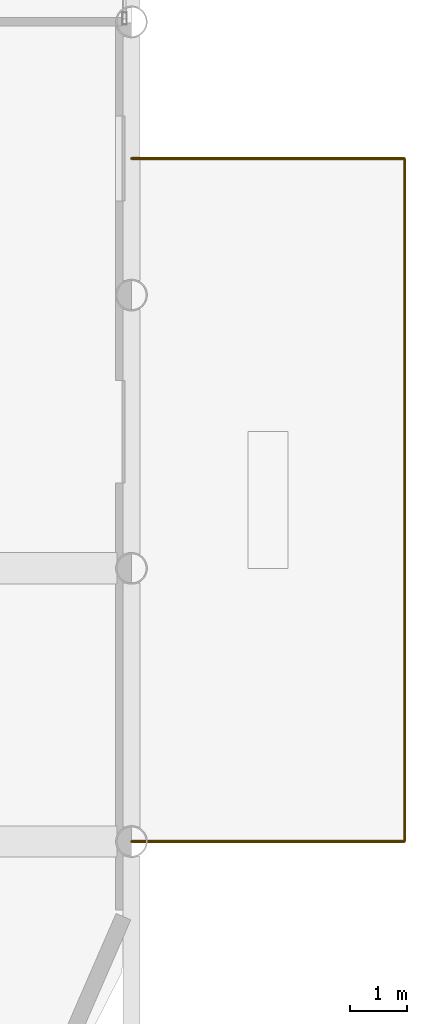
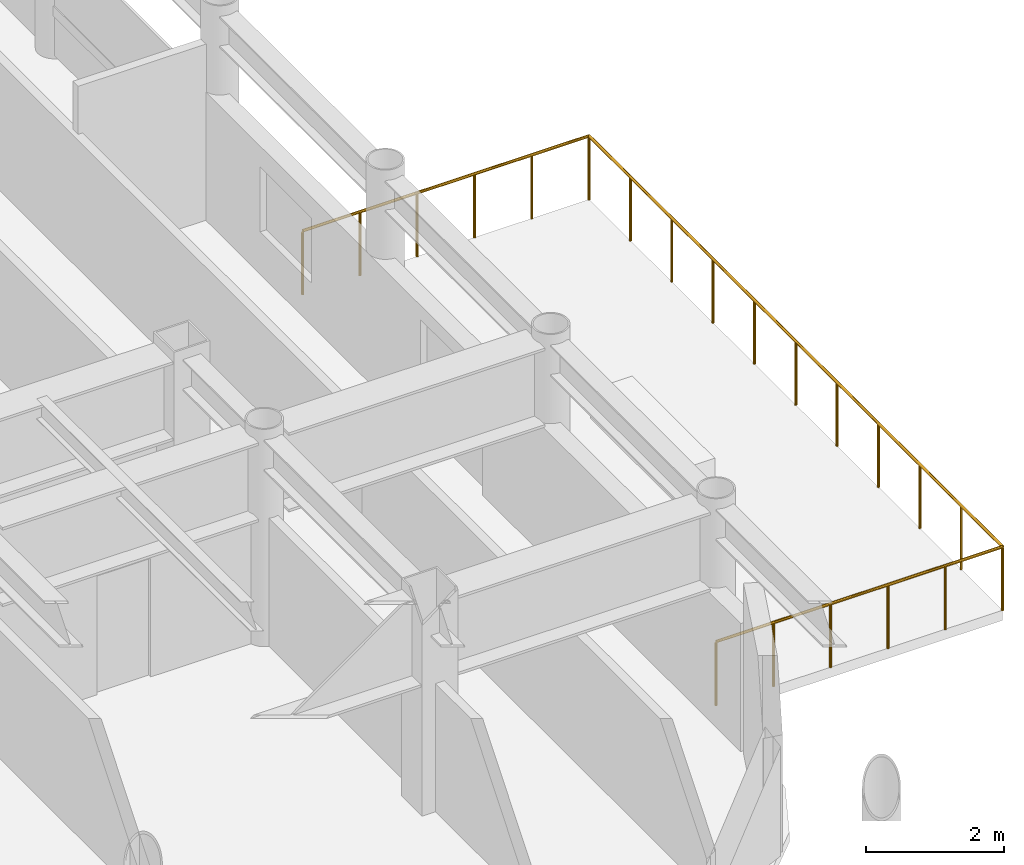
# One storey, part 25 of 25: 3 railings.
"""IFC4 building model written with IfcOpenShell, lengths in metres."""

from ifc_helpers import new_model, si_unit, direction, frame, origin, origin_2d, place, context, subcontext, project, spatial, circle, extrude, material, layer, layer_set, type_object, element, save


model = new_model("IFC4")

# Units and contexts
model_context = context("Model", 3, precision=1e-05, world=origin(), true_north=direction((0.0, 1.0)))
body_context = subcontext(model_context, "Body", "Model", "MODEL_VIEW")
ifc_project = project(units=[si_unit("LENGTHUNIT", "METRE"), si_unit("AREAUNIT", "SQUARE_METRE"), si_unit("VOLUMEUNIT", "CUBIC_METRE"), si_unit("PLANEANGLEUNIT", "RADIAN"), si_unit("MASSUNIT", "GRAM", prefix="KILO")], contexts=[model_context])

# Site, building, storey
site_placement = place(None, origin())
site = spatial("IfcSite", under=ifc_project, at=site_placement, CompositionType="ELEMENT")
building_placement = place(site_placement, origin())
building = spatial("IfcBuilding", under=site, at=building_placement, Name="Kallvorn Hotel Tower", CompositionType="ELEMENT")
storey_placement = place(building_placement, frame((0.0, 0.0, 249.25)))
storey = spatial("IfcBuildingStorey", under=building, at=storey_placement, Name="L62", CompositionType="ELEMENT", Elevation=249.25)

# Railings
ifc_material = material(Name="Galvanised painted steel S275JR balustrade", Category="steel")
ifc_layer = layer(ifc_material, 0.06005859375)
ifc_layer_set = layer_set([ifc_layer], Name="RL_BALUSTRADE_1150")
railing_type = type_object("IfcRailingType", Name="RL_BALUSTRADE_1150", PredefinedType="BALUSTRADE", material=ifc_layer_set)
railing_1_placement = place(storey_placement, frame((28.800048828125, -14.39990234375, 0.0)))
element("IfcRailing", 1, at=railing_1_placement, inside=storey, type_object=railing_type, Name="L62 Exterior Safety Guardrail TER-L62-E-01", PredefinedType="BALUSTRADE", context=body_context, shape_type="SweptSolid", body=[
    extrude(circle(Radius=0.02392578125, at=origin_2d()), frame((0.0, 0.0, 1.1259765625), z_axis=(1.0, 0.0, 0.0), x_axis=(0.0, 1.0, 0.0)), (0.0, 0.0, 1.0), 4.800048828125),
    extrude(circle(Radius=0.02099609375, at=origin_2d()), origin(), (0.0, 0.0, 1.0), 1.101806640625),
    extrude(circle(Radius=0.02099609375, at=origin_2d()), frame((0.9599609375, 0.0, 0.0)), (0.0, 0.0, 1.0), 1.101806640625),
    extrude(circle(Radius=0.02099609375, at=origin_2d()), frame((1.919921875, 0.0, 0.0)), (0.0, 0.0, 1.0), 1.101806640625),
    extrude(circle(Radius=0.02099609375, at=origin_2d()), frame((2.880126953125, 0.0, 0.0)), (0.0, 0.0, 1.0), 1.101806640625),
    extrude(circle(Radius=0.02099609375, at=origin_2d()), frame((3.840087890625, 0.0, 0.0)), (0.0, 0.0, 1.0), 1.101806640625),
    extrude(circle(Radius=0.02099609375, at=origin_2d()), frame((4.800048828125, 0.0, 0.0)), (0.0, 0.0, 1.0), 1.101806640625),
])
railing_2_placement = place(storey_placement, frame((33.60009765625, -14.39990234375, 0.0)))
element("IfcRailing", 2, at=railing_2_placement, inside=storey, type_object=railing_type, Name="L62 Exterior Safety Guardrail TER-L62-E-02", PredefinedType="BALUSTRADE", context=body_context, shape_type="SweptSolid", body=[
    extrude(circle(Radius=0.02392578125, at=origin_2d()), frame((0.0, 0.0, 1.1259765625), z_axis=(0.0, 1.0, 0.0), x_axis=(-1.0, 0.0, 0.0)), (0.0, 0.0, 1.0), 12.0),
    extrude(circle(Radius=0.02099609375, at=origin_2d()), origin(), (0.0, 0.0, 1.0), 1.101806640625),
    extrude(circle(Radius=0.02099609375, at=origin_2d()), frame((0.0, 1.199951171875, 0.0)), (0.0, 0.0, 1.0), 1.101806640625),
    extrude(circle(Radius=0.02099609375, at=origin_2d()), frame((0.0, 2.39990234375, 0.0)), (0.0, 0.0, 1.0), 1.101806640625),
    extrude(circle(Radius=0.02099609375, at=origin_2d()), frame((0.0, 3.60009765625, 0.0)), (0.0, 0.0, 1.0), 1.101806640625),
    extrude(circle(Radius=0.02099609375, at=origin_2d()), frame((0.0, 4.800048828125, 0.0)), (0.0, 0.0, 1.0), 1.101806640625),
    extrude(circle(Radius=0.02099609375, at=origin_2d()), frame((0.0, 6.0, 0.0)), (0.0, 0.0, 1.0), 1.101806640625),
    extrude(circle(Radius=0.02099609375, at=origin_2d()), frame((0.0, 7.199951171875, 0.0)), (0.0, 0.0, 1.0), 1.101806640625),
    extrude(circle(Radius=0.02099609375, at=origin_2d()), frame((0.0, 8.39990234375, 0.0)), (0.0, 0.0, 1.0), 1.101806640625),
    extrude(circle(Radius=0.02099609375, at=origin_2d()), frame((0.0, 9.60009765625, 0.0)), (0.0, 0.0, 1.0), 1.101806640625),
    extrude(circle(Radius=0.02099609375, at=origin_2d()), frame((0.0, 10.800048828125, 0.0)), (0.0, 0.0, 1.0), 1.101806640625),
    extrude(circle(Radius=0.02099609375, at=origin_2d()), frame((0.0, 12.0, 0.0)), (0.0, 0.0, 1.0), 1.101806640625),
])
railing_3_placement = place(storey_placement, frame((33.60009765625, -2.39990234375, 0.0)))
element("IfcRailing", 3, at=railing_3_placement, inside=storey, type_object=railing_type, Name="L62 Exterior Safety Guardrail TER-L62-E-03", PredefinedType="BALUSTRADE", context=body_context, shape_type="SweptSolid", body=[
    extrude(circle(Radius=0.02392578125, at=origin_2d()), frame((0.0, 0.0, 1.1259765625), z_axis=(-1.0, 0.0, 0.0), x_axis=(0.0, -1.0, 0.0)), (0.0, 0.0, 1.0), 4.800048828125),
    extrude(circle(Radius=0.02099609375, at=origin_2d()), origin(), (0.0, 0.0, 1.0), 1.101806640625),
    extrude(circle(Radius=0.02099609375, at=origin_2d()), frame((-0.9599609375, 0.0, 0.0)), (0.0, 0.0, 1.0), 1.101806640625),
    extrude(circle(Radius=0.02099609375, at=origin_2d()), frame((-1.919921875, 0.0, 0.0)), (0.0, 0.0, 1.0), 1.101806640625),
    extrude(circle(Radius=0.02099609375, at=origin_2d()), frame((-2.880126953125, 0.0, 0.0)), (0.0, 0.0, 1.0), 1.101806640625),
    extrude(circle(Radius=0.02099609375, at=origin_2d()), frame((-3.840087890625, 0.0, 0.0)), (0.0, 0.0, 1.0), 1.101806640625),
    extrude(circle(Radius=0.02099609375, at=origin_2d()), frame((-4.800048828125, 0.0, 0.0)), (0.0, 0.0, 1.0), 1.101806640625),
])

save(model, "model.ifc")
